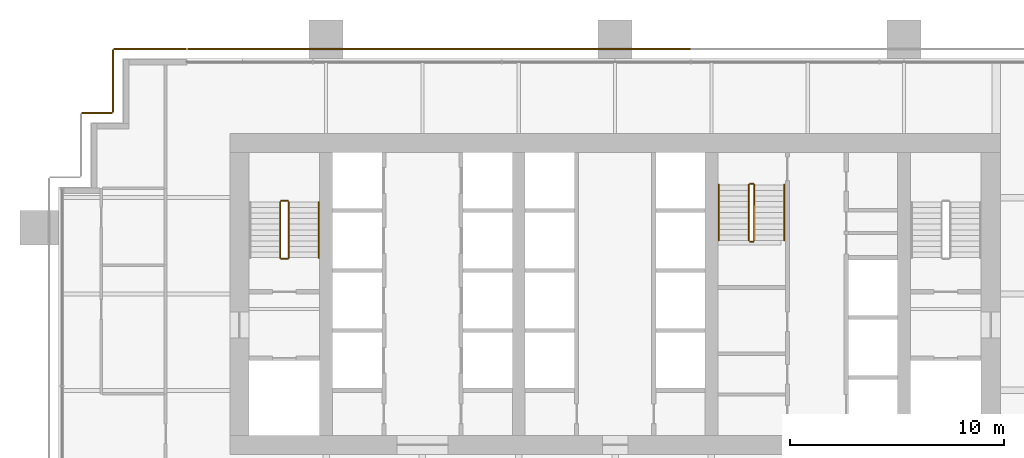
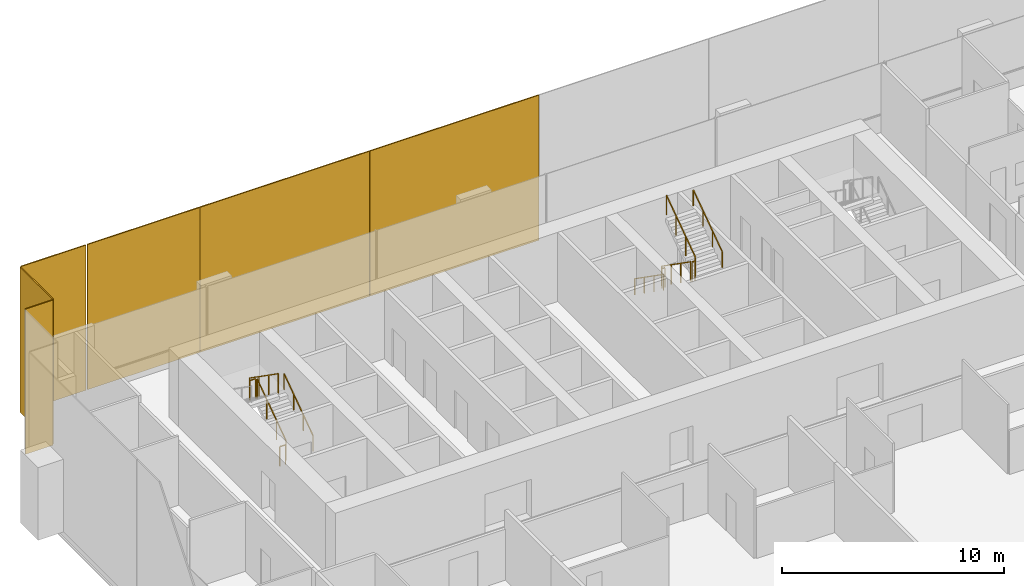
# One storey, part 18 of 19: 11 railings, 6 coverings.
"""IFC4 building model written with IfcOpenShell, lengths in metres."""

from ifc_helpers import new_model, si_unit, direction, frame, origin, origin_2d, place, context, subcontext, project, spatial, rectangle, extrude, material, layer, layer_set, type_object, element, save


model = new_model("IFC4")

# Units and contexts
model_context = context("Model", 3, precision=1e-05, world=origin(), true_north=direction((0.0, 1.0)))
body_context = subcontext(model_context, "Body", "Model", "MODEL_VIEW")
ifc_project = project(units=[si_unit("LENGTHUNIT", "METRE"), si_unit("AREAUNIT", "SQUARE_METRE"), si_unit("VOLUMEUNIT", "CUBIC_METRE"), si_unit("PLANEANGLEUNIT", "RADIAN"), si_unit("MASSUNIT", "GRAM", prefix="KILO")], contexts=[model_context])

# Site, building, storey
site_placement = place(None, origin())
site = spatial("IfcSite", under=ifc_project, at=site_placement, CompositionType="ELEMENT")
building_placement = place(site_placement, origin())
building = spatial("IfcBuilding", under=site, at=building_placement, Name="Rattan Terrace Tower", CompositionType="ELEMENT")
storey_placement = place(building_placement, frame((0.0, 0.0, 79.699951171875)))
storey = spatial("IfcBuildingStorey", under=building, at=storey_placement, Name="L17", CompositionType="ELEMENT", Elevation=79.699951171875)

# Railings
ifc_material_1 = material(Name="Powder-coated steel guard", Category="steel")
railing_type_1 = type_object("IfcRailingType", Name="Core stair guard", PredefinedType="GUARDRAIL", material=ifc_material_1)
railing_1_placement = place(storey_placement, frame((-15.25, 1.699951171875, 0.181884765625)))
element("IfcRailing", 1, at=railing_1_placement, inside=storey, type_object=railing_type_1, Name="L17 S1 stair guard 1", PredefinedType="GUARDRAIL", context=body_context, shape_type="SweptSolid", body=[
    extrude(rectangle(XDim=0.048095703125, YDim=0.048095703125, at=origin_2d()), frame((0.0, 0.0, 1.076171875), z_axis=(0.0, 0.819521025635, 0.573049115296), x_axis=(-1.0, 0.0, 0.0)), (0.0, 0.0, 1.0), 3.172607421875),
    extrude(rectangle(XDim=0.0419921875, YDim=0.0419921875, at=origin_2d()), origin(), (0.0, 0.0, 1.0), 1.052001953125),
    extrude(rectangle(XDim=0.0419921875, YDim=0.0419921875, at=origin_2d()), frame((0.0, 0.86669921875, 0.60595703125)), (0.0, 0.0, 1.0), 1.052001953125),
    extrude(rectangle(XDim=0.0419921875, YDim=0.0419921875, at=origin_2d()), frame((0.0, 1.7333984375, 1.212158203125)), (0.0, 0.0, 1.0), 1.052001953125),
    extrude(rectangle(XDim=0.0419921875, YDim=0.0419921875, at=origin_2d()), frame((0.0, 2.60009765625, 1.818115234375)), (0.0, 0.0, 1.0), 1.052001953125),
])
railing_2_placement = place(storey_placement, frame((-15.300048828125, 4.35009765625, 2.0)))
element("IfcRailing", 2, at=railing_2_placement, inside=storey, type_object=railing_type_1, Name="L17 S1 stair guard 2", PredefinedType="GUARDRAIL", context=body_context, shape_type="SweptSolid", body=[
    extrude(rectangle(XDim=0.048095703125, YDim=0.048095703125, at=origin_2d()), frame((0.0, 0.0, 1.076171875), z_axis=(-1.0, 0.0, 0.0), x_axis=(0.0, -1.0, 0.0)), (0.0, 0.0, 1.0), 0.300048828125),
    extrude(rectangle(XDim=0.0419921875, YDim=0.0419921875, at=origin_2d()), origin(), (0.0, 0.0, 1.0), 1.052001953125),
    extrude(rectangle(XDim=0.0419921875, YDim=0.0419921875, at=origin_2d()), frame((-0.300048828125, 0.0, 0.0)), (0.0, 0.0, 1.0), 1.052001953125),
])
railing_3_placement = place(storey_placement, frame((-15.64990234375, 4.300048828125, 2.181884765625)))
element("IfcRailing", 3, at=railing_3_placement, inside=storey, type_object=railing_type_1, Name="L17 S1 stair guard 3", PredefinedType="GUARDRAIL", context=body_context, shape_type="SweptSolid", body=[
    extrude(rectangle(XDim=0.048095703125, YDim=0.048095703125, at=origin_2d()), frame((0.0, 0.0, 1.076171875), z_axis=(0.0, -0.819521025635, 0.573049115296), x_axis=(1.0, 0.0, 0.0)), (0.0, 0.0, 1.0), 3.172607421875),
    extrude(rectangle(XDim=0.0419921875, YDim=0.0419921875, at=origin_2d()), origin(), (0.0, 0.0, 1.0), 1.052001953125),
    extrude(rectangle(XDim=0.0419921875, YDim=0.0419921875, at=origin_2d()), frame((0.0, -0.86669921875, 0.60595703125)), (0.0, 0.0, 1.0), 1.052001953125),
    extrude(rectangle(XDim=0.0419921875, YDim=0.0419921875, at=origin_2d()), frame((0.0, -1.7333984375, 1.212158203125)), (0.0, 0.0, 1.0), 1.052001953125),
    extrude(rectangle(XDim=0.0419921875, YDim=0.0419921875, at=origin_2d()), frame((0.0, -2.60009765625, 1.818115234375)), (0.0, 0.0, 1.0), 1.052001953125),
])
railing_4_placement = place(storey_placement, frame((-15.300048828125, 1.64990234375, 0.0)))
element("IfcRailing", 4, at=railing_4_placement, inside=storey, type_object=railing_type_1, Name="L17 S1 stair guard 4", PredefinedType="GUARDRAIL", context=body_context, shape_type="SweptSolid", body=[
    extrude(rectangle(XDim=0.048095703125, YDim=0.048095703125, at=origin_2d()), frame((0.0, 0.0, 1.076171875), z_axis=(-1.0, 0.0, 0.0), x_axis=(0.0, -1.0, 0.0)), (0.0, 0.0, 1.0), 0.300048828125),
    extrude(rectangle(XDim=0.0419921875, YDim=0.0419921875, at=origin_2d()), origin(), (0.0, 0.0, 1.0), 1.052001953125),
    extrude(rectangle(XDim=0.0419921875, YDim=0.0419921875, at=origin_2d()), frame((-0.300048828125, 0.0, 0.0)), (0.0, 0.0, 1.0), 1.052001953125),
])
railing_5_placement = place(storey_placement, frame((6.25, 5.10009765625, 0.181884765625)))
element("IfcRailing", 5, at=railing_5_placement, inside=storey, type_object=railing_type_1, Name="L17 S3 stair guard 1", PredefinedType="GUARDRAIL", context=body_context, shape_type="SweptSolid", body=[
    extrude(rectangle(XDim=0.048095703125, YDim=0.048095703125, at=origin_2d()), frame((0.0, 0.0, 1.076171875), z_axis=(0.0, -0.819521025635, 0.573049115296), x_axis=(1.0, 0.0, 0.0)), (0.0, 0.0, 1.0), 3.172607421875),
    extrude(rectangle(XDim=0.0419921875, YDim=0.0419921875, at=origin_2d()), origin(), (0.0, 0.0, 1.0), 1.052001953125),
    extrude(rectangle(XDim=0.0419921875, YDim=0.0419921875, at=origin_2d()), frame((0.0, -0.86669921875, 0.60595703125)), (0.0, 0.0, 1.0), 1.052001953125),
    extrude(rectangle(XDim=0.0419921875, YDim=0.0419921875, at=origin_2d()), frame((0.0, -1.7333984375, 1.212158203125)), (0.0, 0.0, 1.0), 1.052001953125),
    extrude(rectangle(XDim=0.0419921875, YDim=0.0419921875, at=origin_2d()), frame((0.0, -2.60009765625, 1.818115234375)), (0.0, 0.0, 1.0), 1.052001953125),
])
railing_6_placement = place(storey_placement, frame((6.300048828125, 2.449951171875, 2.0)))
element("IfcRailing", 6, at=railing_6_placement, inside=storey, type_object=railing_type_1, Name="L17 S3 stair guard 2", PredefinedType="GUARDRAIL", context=body_context, shape_type="SweptSolid", body=[
    extrude(rectangle(XDim=0.048095703125, YDim=0.048095703125, at=origin_2d()), frame((0.0, 0.0, 1.076171875), z_axis=(1.0, 0.0, 0.0), x_axis=(0.0, 1.0, 0.0)), (0.0, 0.0, 1.0), 0.14990234375),
    extrude(rectangle(XDim=0.0419921875, YDim=0.0419921875, at=origin_2d()), origin(), (0.0, 0.0, 1.0), 1.052001953125),
    extrude(rectangle(XDim=0.0419921875, YDim=0.0419921875, at=origin_2d()), frame((0.14990234375, 0.0, 0.0)), (0.0, 0.0, 1.0), 1.052001953125),
])
railing_7_placement = place(storey_placement, frame((6.5, 2.5, 2.181884765625)))
element("IfcRailing", 7, at=railing_7_placement, inside=storey, type_object=railing_type_1, Name="L17 S3 stair guard 3", PredefinedType="GUARDRAIL", context=body_context, shape_type="SweptSolid", body=[
    extrude(rectangle(XDim=0.048095703125, YDim=0.048095703125, at=origin_2d()), frame((0.0, 0.0, 1.076171875), z_axis=(0.0, 0.819521025635, 0.573049115296), x_axis=(-1.0, 0.0, 0.0)), (0.0, 0.0, 1.0), 3.172607421875),
    extrude(rectangle(XDim=0.0419921875, YDim=0.0419921875, at=origin_2d()), origin(), (0.0, 0.0, 1.0), 1.052001953125),
    extrude(rectangle(XDim=0.0419921875, YDim=0.0419921875, at=origin_2d()), frame((0.0, 0.86669921875, 0.60595703125)), (0.0, 0.0, 1.0), 1.052001953125),
    extrude(rectangle(XDim=0.0419921875, YDim=0.0419921875, at=origin_2d()), frame((0.0, 1.7333984375, 1.212158203125)), (0.0, 0.0, 1.0), 1.052001953125),
    extrude(rectangle(XDim=0.0419921875, YDim=0.0419921875, at=origin_2d()), frame((0.0, 2.60009765625, 1.818115234375)), (0.0, 0.0, 1.0), 1.052001953125),
])
railing_8_placement = place(storey_placement, frame((6.300048828125, 5.14990234375, 0.0)))
element("IfcRailing", 8, at=railing_8_placement, inside=storey, type_object=railing_type_1, Name="L17 S3 stair guard 4", PredefinedType="GUARDRAIL", context=body_context, shape_type="SweptSolid", body=[
    extrude(rectangle(XDim=0.048095703125, YDim=0.048095703125, at=origin_2d()), frame((0.0, 0.0, 1.076171875), z_axis=(1.0, 0.0, 0.0), x_axis=(0.0, 1.0, 0.0)), (0.0, 0.0, 1.0), 0.14990234375),
    extrude(rectangle(XDim=0.0419921875, YDim=0.0419921875, at=origin_2d()), origin(), (0.0, 0.0, 1.0), 1.052001953125),
    extrude(rectangle(XDim=0.0419921875, YDim=0.0419921875, at=origin_2d()), frame((0.14990234375, 0.0, 0.0)), (0.0, 0.0, 1.0), 1.052001953125),
])
ifc_material_2 = material(Name="Powder-coated steel handrail", Category="steel")
railing_type_2 = type_object("IfcRailingType", Name="Core stair handrail", PredefinedType="HANDRAIL", material=ifc_material_2)
railing_9_placement = place(storey_placement, frame((-13.85009765625, 1.699951171875, 0.181884765625)))
element("IfcRailing", 9, at=railing_9_placement, inside=storey, type_object=railing_type_2, Name="L17 S1 stair handrail 1", PredefinedType="HANDRAIL", context=body_context, shape_type="SweptSolid", body=[
    extrude(rectangle(XDim=0.048095703125, YDim=0.048095703125, at=origin_2d()), frame((0.0, 0.0, 0.8759765625), z_axis=(0.0, 0.819521025635, 0.573049115296), x_axis=(-1.0, 0.0, 0.0)), (0.0, 0.0, 1.0), 3.172607421875),
    extrude(rectangle(XDim=0.0419921875, YDim=0.0419921875, at=origin_2d()), origin(), (0.0, 0.0, 1.0), 0.851806640625),
    extrude(rectangle(XDim=0.0419921875, YDim=0.0419921875, at=origin_2d()), frame((0.0, 0.86669921875, 0.60595703125)), (0.0, 0.0, 1.0), 0.851806640625),
    extrude(rectangle(XDim=0.0419921875, YDim=0.0419921875, at=origin_2d()), frame((0.0, 1.7333984375, 1.212158203125)), (0.0, 0.0, 1.0), 0.851806640625),
    extrude(rectangle(XDim=0.0419921875, YDim=0.0419921875, at=origin_2d()), frame((0.0, 2.60009765625, 1.818115234375)), (0.0, 0.0, 1.0), 0.851806640625),
])
railing_10_placement = place(storey_placement, frame((4.85009765625, 5.10009765625, 0.181884765625)))
element("IfcRailing", 10, at=railing_10_placement, inside=storey, type_object=railing_type_2, Name="L17 S3 stair handrail 1", PredefinedType="HANDRAIL", context=body_context, shape_type="SweptSolid", body=[
    extrude(rectangle(XDim=0.048095703125, YDim=0.048095703125, at=origin_2d()), frame((0.0, 0.0, 0.8759765625), z_axis=(0.0, -0.819521025635, 0.573049115296), x_axis=(1.0, 0.0, 0.0)), (0.0, 0.0, 1.0), 3.172607421875),
    extrude(rectangle(XDim=0.0419921875, YDim=0.0419921875, at=origin_2d()), origin(), (0.0, 0.0, 1.0), 0.851806640625),
    extrude(rectangle(XDim=0.0419921875, YDim=0.0419921875, at=origin_2d()), frame((0.0, -0.86669921875, 0.60595703125)), (0.0, 0.0, 1.0), 0.851806640625),
    extrude(rectangle(XDim=0.0419921875, YDim=0.0419921875, at=origin_2d()), frame((0.0, -1.7333984375, 1.212158203125)), (0.0, 0.0, 1.0), 0.851806640625),
    extrude(rectangle(XDim=0.0419921875, YDim=0.0419921875, at=origin_2d()), frame((0.0, -2.60009765625, 1.818115234375)), (0.0, 0.0, 1.0), 0.851806640625),
])
railing_11_placement = place(storey_placement, frame((7.89990234375, 2.5, 2.181884765625)))
element("IfcRailing", 11, at=railing_11_placement, inside=storey, type_object=railing_type_2, Name="L17 S3 stair handrail 2", PredefinedType="HANDRAIL", context=body_context, shape_type="SweptSolid", body=[
    extrude(rectangle(XDim=0.048095703125, YDim=0.048095703125, at=origin_2d()), frame((0.0, 0.0, 0.8759765625), z_axis=(0.0, 0.819521025635, 0.573049115296), x_axis=(-1.0, 0.0, 0.0)), (0.0, 0.0, 1.0), 3.172607421875),
    extrude(rectangle(XDim=0.0419921875, YDim=0.0419921875, at=origin_2d()), origin(), (0.0, 0.0, 1.0), 0.851806640625),
    extrude(rectangle(XDim=0.0419921875, YDim=0.0419921875, at=origin_2d()), frame((0.0, 0.86669921875, 0.60595703125)), (0.0, 0.0, 1.0), 0.851806640625),
    extrude(rectangle(XDim=0.0419921875, YDim=0.0419921875, at=origin_2d()), frame((0.0, 1.7333984375, 1.212158203125)), (0.0, 0.0, 1.0), 0.851806640625),
    extrude(rectangle(XDim=0.0419921875, YDim=0.0419921875, at=origin_2d()), frame((0.0, 2.60009765625, 1.818115234375)), (0.0, 0.0, 1.0), 0.851806640625),
])

# Coverings
ifc_material_3 = material(Name="Perforated terracotta", Category="masonry")
ifc_layer = layer(ifc_material_3, 0.06005859375)
ifc_layer_set = layer_set([ifc_layer], Name="Facade Terracotta Screen Panel")
covering_type = type_object("IfcCoveringType", Name="Facade Terracotta Screen Panel", PredefinedType="CLADDING", material=ifc_layer_set)
for number, where, z_axis, x_axis, name in (
    (12, (-0.880615234375, 11.449951171875, -0.18994140625), (0.0, 0.0, 1.0), (-1.0, 0.0, 0.0), "OUTER SKIN panel L17-18"),
    (13, (-9.70361328125, 11.449951171875, -0.18994140625), (0.0, 0.0, 1.0), (-1.0, 0.0, 0.0), "OUTER SKIN panel L17-19"),
):
    element("IfcCovering", number, at=place(storey_placement, frame(where, z_axis=z_axis, x_axis=x_axis)), inside=storey, type_object=covering_type, Name=name, PredefinedType="CLADDING", context=body_context, shape_type="SweptSolid", body=[
        extrude(rectangle(XDim=8.802978515625, YDim=0.06005859375, at=origin_2d()), origin(), (0.0, 0.0, 1.0), 7.97998046875),
    ])
covering_1_placement = place(storey_placement, frame((-17.04248046875, 11.449951171875, -0.18994140625), z_axis=(0.0, 0.0, 1.0), x_axis=(-1.0, 0.0, 0.0)))
element("IfcCovering", 14, at=covering_1_placement, inside=storey, type_object=covering_type, Name="OUTER SKIN panel L17-20", PredefinedType="CLADDING", context=body_context, shape_type="SweptSolid", body=[
    extrude(rectangle(XDim=5.8349609375, YDim=0.06005859375, at=origin_2d()), origin(), (0.0, 0.0, 1.0), 7.97998046875),
])
covering_2_placement = place(storey_placement, frame((-21.72509765625, 11.449951171875, -0.18994140625), z_axis=(0.0, 0.0, 1.0), x_axis=(-1.0, 0.0, 0.0)))
element("IfcCovering", 15, at=covering_2_placement, inside=storey, type_object=covering_type, Name="OUTER SKIN panel L17-21", PredefinedType="CLADDING", context=body_context, shape_type="SweptSolid", body=[
    extrude(rectangle(XDim=3.3701171875, YDim=0.06005859375, at=origin_2d()), origin(), (0.0, 0.0, 1.0), 7.97998046875),
])
covering_3_placement = place(storey_placement, frame((-23.449951171875, 9.949951171875, -0.18994140625), z_axis=(0.0, 0.0, 1.0), x_axis=(0.0, -1.0, 0.0)))
element("IfcCovering", 16, at=covering_3_placement, inside=storey, type_object=covering_type, Name="OUTER SKIN panel L17-22", PredefinedType="CLADDING", context=body_context, shape_type="SweptSolid", body=[
    extrude(rectangle(XDim=2.919921875, YDim=0.06005859375, at=origin_2d()), origin(), (0.0, 0.0, 1.0), 7.97998046875),
])
covering_4_placement = place(storey_placement, frame((-24.199951171875, 8.449951171875, -0.18994140625), z_axis=(0.0, 0.0, 1.0), x_axis=(-1.0, 0.0, 0.0)))
element("IfcCovering", 17, at=covering_4_placement, inside=storey, type_object=covering_type, Name="OUTER SKIN panel L17-23", PredefinedType="CLADDING", context=body_context, shape_type="SweptSolid", body=[
    extrude(rectangle(XDim=1.419921875, YDim=0.06005859375, at=origin_2d()), origin(), (0.0, 0.0, 1.0), 7.97998046875),
])

save(model, "model.ifc")
